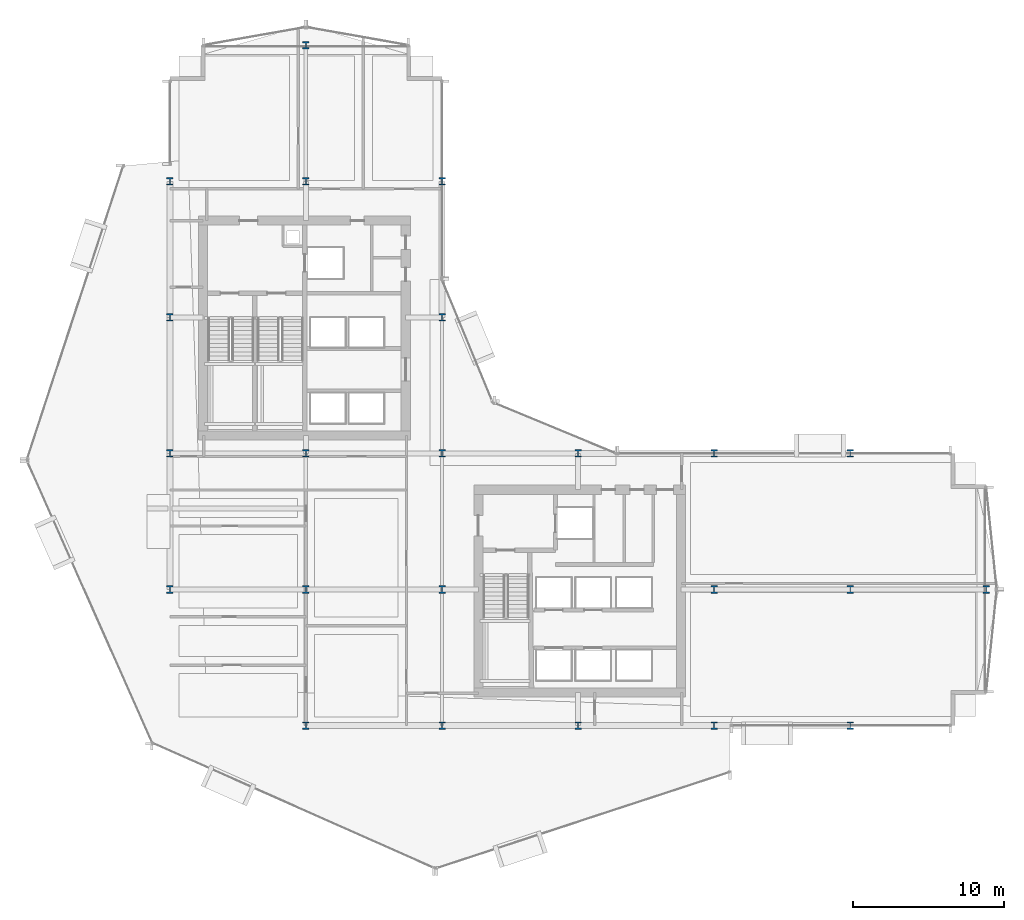
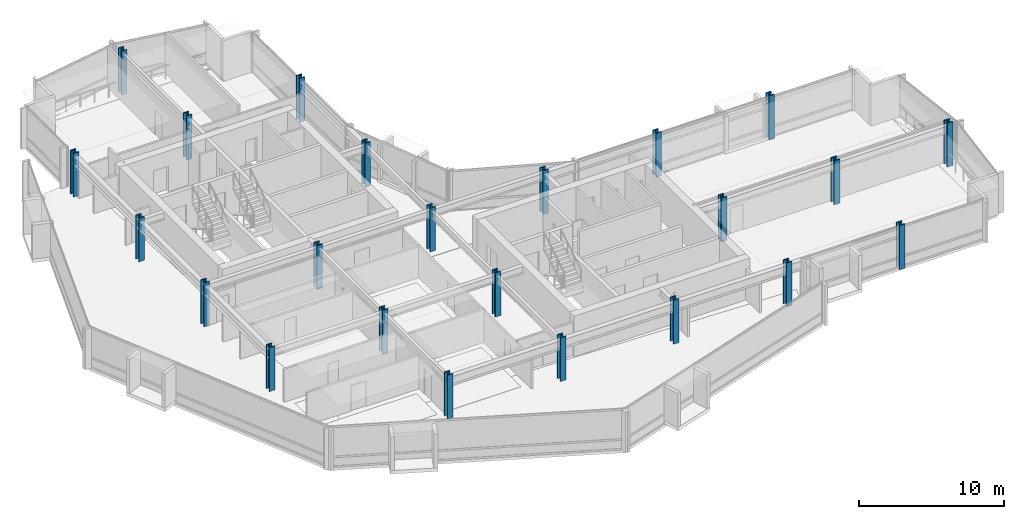
# One storey, part 1 of 34: 23 columns.
"""IFC4 building model written with IfcOpenShell, lengths in metres."""

from ifc_helpers import new_model, si_unit, direction, frame, origin, origin_2d, place, context, subcontext, project, spatial, i_section, extrude, material, material_profile, profile_set, type_object, element, save


model = new_model("IFC4")

# Units and contexts
model_context = context("Model", 3, precision=1e-05, world=origin(), true_north=direction((0.0, 1.0)))
body_context = subcontext(model_context, "Body", "Model", "MODEL_VIEW")
ifc_project = project(units=[si_unit("LENGTHUNIT", "METRE"), si_unit("AREAUNIT", "SQUARE_METRE"), si_unit("VOLUMEUNIT", "CUBIC_METRE"), si_unit("PLANEANGLEUNIT", "RADIAN"), si_unit("MASSUNIT", "GRAM", prefix="KILO")], contexts=[model_context])

# Site, building, storey
site_placement = place(None, origin())
site = spatial("IfcSite", under=ifc_project, at=site_placement, CompositionType="ELEMENT")
building_placement = place(site_placement, origin())
building = spatial("IfcBuilding", under=site, at=building_placement, Name="Solvaryn Broadcast Tower", CompositionType="ELEMENT")
storey_placement = place(building_placement, frame((0.0, 0.0, 61.89990234375)))
storey = spatial("IfcBuildingStorey", under=building, at=storey_placement, Name="L14", CompositionType="ELEMENT", Elevation=61.89990234375)

# Columns
ifc_material_1 = material(Name="Steel ASTM A913 Grade 65", Category="steel")
ifc_material_profile_1 = material_profile(ifc_material_1, i_section(OverallWidth=0.431884765625, OverallDepth=0.498046875, WebThickness=0.0556640625, FlangeThickness=0.0888671875, FilletRadius=0.014892578125, at=origin_2d()))
ifc_profile_set_1 = profile_set([ifc_material_profile_1], Name="Steel ASTM A913 Grade 65")
column_type_1 = type_object("IfcColumnType", Name="COL-C03E-W14X500", PredefinedType="COLUMN", material=ifc_profile_set_1)
for number, where, z_axis, x_axis, name in (
    (1, (9.0, 18.0, 0.0), (0.0, 0.0, 1.0), (1.0, 0.0, 0.0), "L14 Column (9.0, 18.0)"),
    (2, (9.0, 27.0, 0.0), (0.0, 0.0, 1.0), (1.0, 0.0, 0.0), "L14 Column (9.0, 27.0)"),
    (3, (9.0, 36.0, 0.0), (0.0, 0.0, 1.0), (1.0, 0.0, 0.0), "L14 Column (9.0, 36.0)"),
    (4, (9.0, 45.0, 0.0), (0.0, 0.0, 1.0), (1.0, 0.0, 0.0), "L14 Column (9.0, 45.0)"),
    (5, (18.0, 9.0, 0.0), (0.0, 0.0, 1.0), (1.0, 0.0, 0.0), "L14 Column (18.0, 9.0)"),
    (6, (18.0, 54.0, 0.0), (0.0, 0.0, 1.0), (1.0, 0.0, 0.0), "L14 Column (18.0, 54.0)"),
    (7, (27.0, 9.0, 0.0), (0.0, 0.0, 1.0), (1.0, 0.0, 0.0), "L14 Column (27.0, 9.0)"),
    (8, (27.0, 36.0, 0.0), (0.0, 0.0, 1.0), (1.0, 0.0, 0.0), "L14 Column (27.0, 36.0)"),
    (9, (27.0, 45.0, 0.0), (0.0, 0.0, 1.0), (1.0, 0.0, 0.0), "L14 Column (27.0, 45.0)"),
    (10, (36.0, 9.0, 0.0), (0.0, 0.0, 1.0), (1.0, 0.0, 0.0), "L14 Column (36.0, 9.0)"),
    (11, (36.0, 27.0, 0.0), (0.0, 0.0, 1.0), (1.0, 0.0, 0.0), "L14 Column (36.0, 27.0)"),
    (12, (45.0, 9.0, 0.0), (0.0, 0.0, 1.0), (1.0, 0.0, 0.0), "L14 Column (45.0, 9.0)"),
    (13, (45.0, 27.0, 0.0), (0.0, 0.0, 1.0), (1.0, 0.0, 0.0), "L14 Column (45.0, 27.0)"),
    (14, (54.0, 9.0, 0.0), (0.0, 0.0, 1.0), (1.0, 0.0, 0.0), "L14 Column (54.0, 9.0)"),
    (15, (54.0, 27.0, 0.0), (0.0, 0.0, 1.0), (1.0, 0.0, 0.0), "L14 Column (54.0, 27.0)"),
    (16, (63.0, 18.0, 0.0), (0.0, 0.0, 1.0), (1.0, 0.0, 0.0), "L14 Column (63.0, 18.0)"),
):
    element("IfcColumn", number, at=place(storey_placement, frame(where, z_axis=z_axis, x_axis=x_axis)), inside=storey, type_object=column_type_1, Name=name, PredefinedType="COLUMN", context=body_context, shape_type="SweptSolid", body=[
        extrude(i_section(OverallWidth=0.431884765625, OverallDepth=0.498046875, WebThickness=0.0556640625, FlangeThickness=0.0888671875, FilletRadius=0.014892578125, at=origin_2d()), origin(), (0.0, 0.0, 1.0), 3.7001953125),
    ])
ifc_material_2 = material(Name="Steel ASTM A913 Grade 65", Category="steel")
ifc_material_profile_2 = material_profile(ifc_material_2, i_section(OverallWidth=0.431884765625, OverallDepth=0.498046875, WebThickness=0.0556640625, FlangeThickness=0.0888671875, FilletRadius=0.014892578125, at=origin_2d()))
ifc_profile_set_2 = profile_set([ifc_material_profile_2], Name="Steel ASTM A913 Grade 65")
column_type_2 = type_object("IfcColumnType", Name="COL-C03I-W14X500", PredefinedType="COLUMN", material=ifc_profile_set_2)
for number, where, z_axis, x_axis, name in (
    (17, (18.0, 18.0, 0.0), (0.0, 0.0, 1.0), (1.0, 0.0, 0.0), "L14 Column (18.0, 18.0)"),
    (18, (18.0, 27.0, 0.0), (0.0, 0.0, 1.0), (1.0, 0.0, 0.0), "L14 Column (18.0, 27.0)"),
    (19, (18.0, 45.0, 0.0), (0.0, 0.0, 1.0), (1.0, 0.0, 0.0), "L14 Column (18.0, 45.0)"),
    (20, (27.0, 18.0, 0.0), (0.0, 0.0, 1.0), (1.0, 0.0, 0.0), "L14 Column (27.0, 18.0)"),
    (21, (27.0, 27.0, 0.0), (0.0, 0.0, 1.0), (1.0, 0.0, 0.0), "L14 Column (27.0, 27.0)"),
    (22, (45.0, 18.0, 0.0), (0.0, 0.0, 1.0), (1.0, 0.0, 0.0), "L14 Column (45.0, 18.0)"),
    (23, (54.0, 18.0, 0.0), (0.0, 0.0, 1.0), (1.0, 0.0, 0.0), "L14 Column (54.0, 18.0)"),
):
    element("IfcColumn", number, at=place(storey_placement, frame(where, z_axis=z_axis, x_axis=x_axis)), inside=storey, type_object=column_type_2, Name=name, PredefinedType="COLUMN", context=body_context, shape_type="SweptSolid", body=[
        extrude(i_section(OverallWidth=0.431884765625, OverallDepth=0.498046875, WebThickness=0.0556640625, FlangeThickness=0.0888671875, FilletRadius=0.014892578125, at=origin_2d()), origin(), (0.0, 0.0, 1.0), 3.7001953125),
    ])

save(model, "model.ifc")
